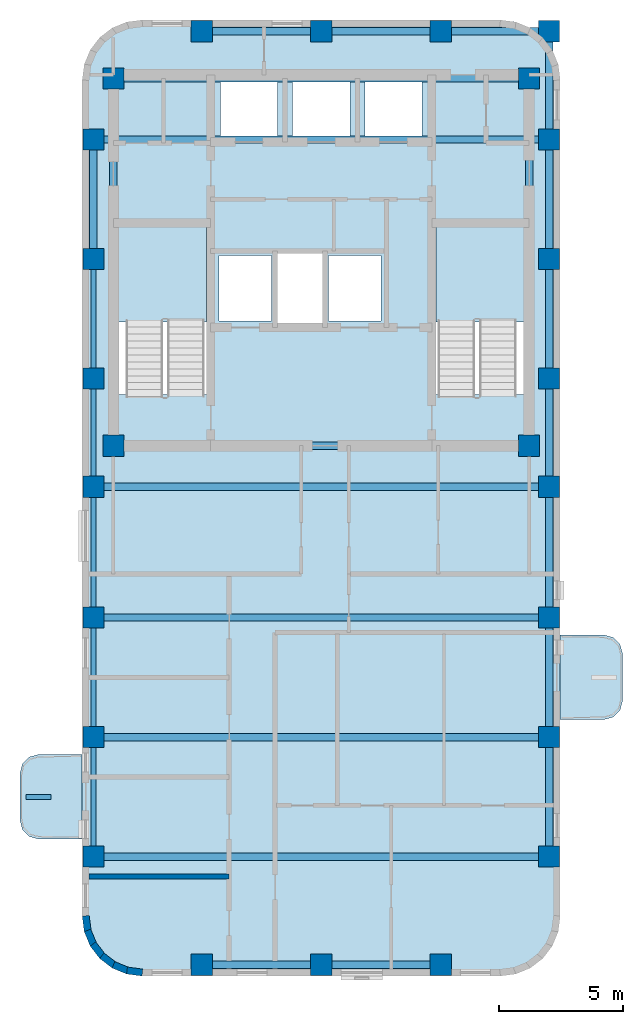
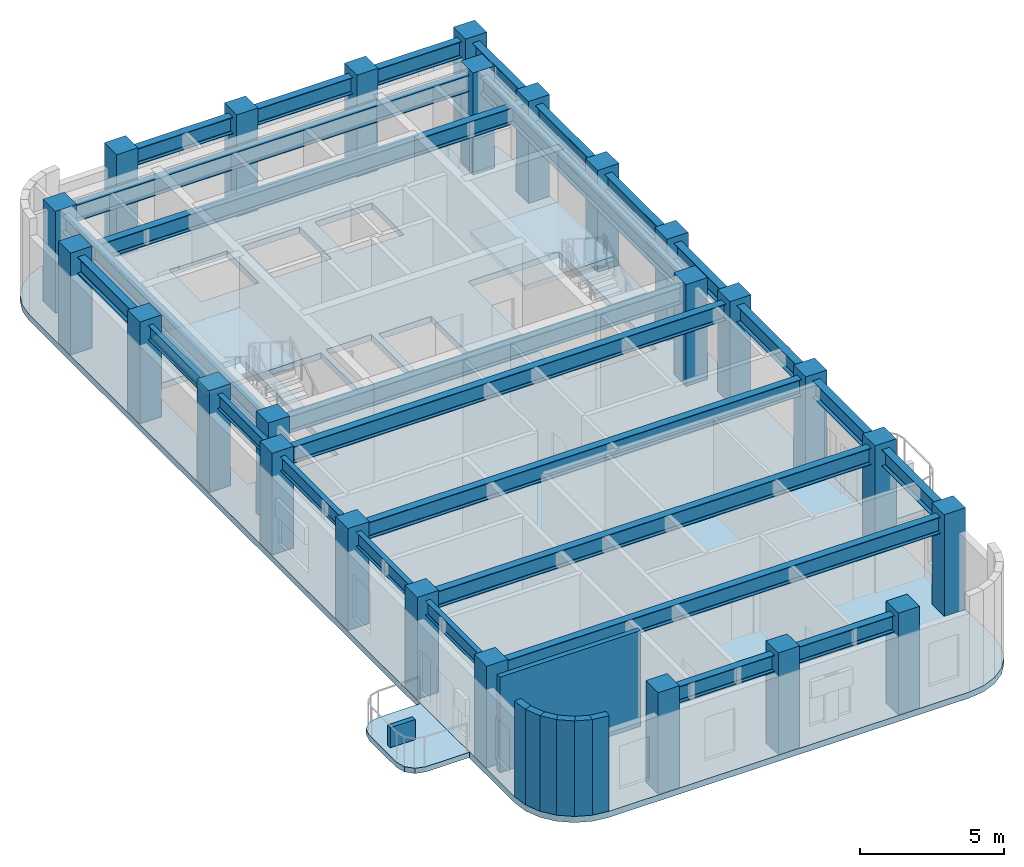
# One storey, part 1 of 6: 27 beams, 25 columns, 8 walls, 5 slabs, 2 elements without a shape of their own.
"""IFC4 building model written with IfcOpenShell, lengths in metres."""

from ifc_helpers import new_model, si_unit, direction, frame, frame_2d, origin, origin_2d, place, context, subcontext, project, spatial, polyline, rectangle, i_section, outline, extrude, material, layer, layer_set, material_profile, profile_set, type_object, element, aggregate, save


model = new_model("IFC4")

# Units and contexts
model_context = context("Model", 3, precision=1e-05, world=origin(), true_north=direction((0.0, 1.0)))
body_context = subcontext(model_context, "Body", "Model", "MODEL_VIEW")
ifc_project = project(units=[si_unit("LENGTHUNIT", "METRE"), si_unit("AREAUNIT", "SQUARE_METRE"), si_unit("VOLUMEUNIT", "CUBIC_METRE"), si_unit("PLANEANGLEUNIT", "RADIAN"), si_unit("MASSUNIT", "GRAM", prefix="KILO")], contexts=[model_context])

# Site, building, storey
site_placement = place(None, origin())
site = spatial("IfcSite", under=ifc_project, at=site_placement, CompositionType="ELEMENT")
building_placement = place(site_placement, origin())
building = spatial("IfcBuilding", under=site, at=building_placement, Name="Orvandelia Arch Residences", CompositionType="ELEMENT")
storey_placement = place(building_placement, frame((0.0, 0.0, 244.10009765625)))
storey = spatial("IfcBuildingStorey", under=building, at=storey_placement, Name="L64", CompositionType="ELEMENT", Elevation=244.10009765625)

# Columns
ifc_material_1 = material(Name="Concrete C60/75", Category="concrete")
ifc_material_profile_1 = material_profile(ifc_material_1, rectangle(XDim=0.85009765625, YDim=0.85009765625, at=origin_2d()), Name="Concrete C60/75", Category="concrete")
ifc_profile_set_1 = profile_set([ifc_material_profile_1], Name="Concrete C60/75")
column_type = type_object("IfcColumnType", Name="COL-TWR-850", PredefinedType="COLUMN", material=ifc_profile_set_1)
for number, where, z_axis, x_axis, name in (
    (1, (5.25, 14.39990234375, 0.0), (0.0, 0.0, 1.0), (1.0, 0.0, 0.0), "Structural Column L64-W-W-144"),
    (2, (5.25, 19.199951171875, 0.0), (0.0, 0.0, 1.0), (1.0, 0.0, 0.0), "Structural Column L64-W-W-192"),
    (3, (5.25, 24.0, 0.0), (0.0, 0.0, 1.0), (1.0, 0.0, 0.0), "Structural Column L64-W-W-240"),
    (4, (5.25, 29.25, 0.0), (0.0, 0.0, 1.0), (1.0, 0.0, 0.0), "Structural Column L64-W-W-292"),
    (5, (5.25, 33.60009765625, 0.0), (0.0, 0.0, 1.0), (1.0, 0.0, 0.0), "Structural Column L64-W-W-336"),
    (6, (5.25, 38.39990234375, 0.0), (0.0, 0.0, 1.0), (1.0, 0.0, 0.0), "Structural Column L64-W-W-384"),
    (7, (5.25, 43.199951171875, 0.0), (0.0, 0.0, 1.0), (1.0, 0.0, 0.0), "Structural Column L64-W-W-432"),
    (8, (6.050048828125, 30.89990234375, 0.0), (0.0, 0.0, 1.0), (1.0, 0.0, 0.0), "Structural Column L64-CR-SW"),
    (9, (6.050048828125, 45.64990234375, 0.0), (0.0, 0.0, 1.0), (1.0, 0.0, 0.0), "Structural Column L64-CR-NW"),
    (10, (9.60009765625, 10.050048828125, 0.0), (0.0, 0.0, 1.0), (1.0, 0.0, 0.0), "Structural Column L64-W-S-96"),
    (11, (9.60009765625, 47.550048828125, 0.0), (0.0, 0.0, 1.0), (1.0, 0.0, 0.0), "Structural Column L64-W-N-96"),
    (12, (14.39990234375, 10.050048828125, 0.0), (0.0, 0.0, 1.0), (1.0, 0.0, 0.0), "Structural Column L64-W-S-144"),
    (13, (14.39990234375, 47.550048828125, 0.0), (0.0, 0.0, 1.0), (1.0, 0.0, 0.0), "Structural Column L64-W-N-144"),
    (14, (19.199951171875, 10.050048828125, 0.0), (0.0, 0.0, 1.0), (1.0, 0.0, 0.0), "Structural Column L64-W-S-192"),
    (15, (19.199951171875, 47.550048828125, 0.0), (0.0, 0.0, 1.0), (1.0, 0.0, 0.0), "Structural Column L64-W-N-192"),
    (16, (22.75, 30.89990234375, 0.0), (0.0, 0.0, 1.0), (1.0, 0.0, 0.0), "Structural Column L64-CR-SE"),
    (17, (22.75, 45.64990234375, 0.0), (0.0, 0.0, 1.0), (1.0, 0.0, 0.0), "Structural Column L64-CR-NE"),
    (18, (23.550048828125, 14.39990234375, 0.0), (0.0, 0.0, 1.0), (1.0, 0.0, 0.0), "Structural Column L64-W-E-144"),
    (19, (23.550048828125, 19.199951171875, 0.0), (0.0, 0.0, 1.0), (1.0, 0.0, 0.0), "Structural Column L64-W-E-192"),
    (20, (23.550048828125, 24.0, 0.0), (0.0, 0.0, 1.0), (1.0, 0.0, 0.0), "Structural Column L64-W-E-240"),
    (21, (23.550048828125, 29.25, 0.0), (0.0, 0.0, 1.0), (1.0, 0.0, 0.0), "Structural Column L64-W-E-292"),
    (22, (23.550048828125, 33.60009765625, 0.0), (0.0, 0.0, 1.0), (1.0, 0.0, 0.0), "Structural Column L64-W-E-336"),
    (23, (23.550048828125, 38.39990234375, 0.0), (0.0, 0.0, 1.0), (1.0, 0.0, 0.0), "Structural Column L64-W-E-384"),
    (24, (23.550048828125, 43.199951171875, 0.0), (0.0, 0.0, 1.0), (1.0, 0.0, 0.0), "Structural Column L64-W-E-432"),
    (25, (23.550048828125, 47.550048828125, 0.0), (0.0, 0.0, 1.0), (1.0, 0.0, 0.0), "Structural Column L64-W-N-235"),
):
    element("IfcColumn", number, at=place(storey_placement, frame(where, z_axis=z_axis, x_axis=x_axis)), inside=storey, type_object=column_type, Name=name, PredefinedType="COLUMN", context=body_context, shape_type="SweptSolid", body=[
        extrude(rectangle(XDim=0.85009765625, YDim=0.85009765625, at=origin_2d()), origin(), (0.0, 0.0, 1.0), 4.2998046875),
    ])

# Beams
ifc_material_2 = material(Name="Structural Steel SM355 (355 MPa)", Category="steel")
ifc_material_profile_2 = material_profile(ifc_material_2, i_section(OverallWidth=0.300048828125, OverallDepth=0.699951171875, WebThickness=0.012939453125, FlangeThickness=0.02392578125, FilletRadius=0.02392578125, at=origin_2d()), Name="Structural Steel SM355 (355 MPa)", Category="steel")
ifc_profile_set_2 = profile_set([ifc_material_profile_2], Name="Structural Steel SM355 (355 MPa)")
beam_type_1 = type_object("IfcBeamType", Name="BM-GRD-H700", PredefinedType="BEAM", material=ifc_profile_set_2)
beam_1_placement = place(storey_placement, frame((5.25, 38.39990234375, 3.68994140625), z_axis=(0.0, 1.0, 0.0), x_axis=(-1.0, 0.0, 0.0)))
element("IfcBeam", 26, at=beam_1_placement, inside=storey, type_object=beam_type_1, Name="Structural Frame Beam L64-NS-006", PredefinedType="BEAM", context=body_context, shape_type="SweptSolid", body=[
    extrude(i_section(OverallWidth=0.300048828125, OverallDepth=0.699951171875, WebThickness=0.012939453125, FlangeThickness=0.02392578125, FilletRadius=0.02392578125, at=origin_2d()), origin(), (0.0, 0.0, 1.0), 4.800048828125),
])
for number, where, z_axis, x_axis, name in (
    (27, (6.050048828125, 30.89990234375, 3.68994140625), (0.0, 1.0, 0.0), (-1.0, 0.0, 0.0), "Structural Frame Beam L64-NS-007"),
    (28, (22.75, 30.89990234375, 3.68994140625), (0.0, 1.0, 0.0), (-1.0, 0.0, 0.0), "Structural Frame Beam L64-NS-008"),
):
    element("IfcBeam", number, at=place(storey_placement, frame(where, z_axis=z_axis, x_axis=x_axis)), inside=storey, type_object=beam_type_1, Name=name, PredefinedType="BEAM", context=body_context, shape_type="SweptSolid", body=[
        extrude(i_section(OverallWidth=0.300048828125, OverallDepth=0.699951171875, WebThickness=0.012939453125, FlangeThickness=0.02392578125, FilletRadius=0.02392578125, at=origin_2d()), origin(), (0.0, 0.0, 1.0), 14.75),
    ])
for number, where, z_axis, x_axis, name in (
    (29, (23.550048828125, 14.39990234375, 3.68994140625), (0.0, 1.0, 0.0), (-1.0, 0.0, 0.0), "Structural Frame Beam L64-NS-009"),
    (30, (23.550048828125, 19.199951171875, 3.68994140625), (0.0, 1.0, 0.0), (-1.0, 0.0, 0.0), "Structural Frame Beam L64-NS-010"),
):
    element("IfcBeam", number, at=place(storey_placement, frame(where, z_axis=z_axis, x_axis=x_axis)), inside=storey, type_object=beam_type_1, Name=name, PredefinedType="BEAM", context=body_context, shape_type="SweptSolid", body=[
        extrude(i_section(OverallWidth=0.300048828125, OverallDepth=0.699951171875, WebThickness=0.012939453125, FlangeThickness=0.02392578125, FilletRadius=0.02392578125, at=origin_2d()), origin(), (0.0, 0.0, 1.0), 4.800048828125),
    ])
beam_2_placement = place(storey_placement, frame((23.550048828125, 24.0, 3.68994140625), z_axis=(0.0, 1.0, 0.0), x_axis=(-1.0, 0.0, 0.0)))
element("IfcBeam", 31, at=beam_2_placement, inside=storey, type_object=beam_type_1, Name="Structural Frame Beam L64-NS-011", PredefinedType="BEAM", context=body_context, shape_type="SweptSolid", body=[
    extrude(i_section(OverallWidth=0.300048828125, OverallDepth=0.699951171875, WebThickness=0.012939453125, FlangeThickness=0.02392578125, FilletRadius=0.02392578125, at=origin_2d()), origin(), (0.0, 0.0, 1.0), 5.25),
])
beam_3_placement = place(storey_placement, frame((23.550048828125, 29.25, 3.68994140625), z_axis=(0.0, 1.0, 0.0), x_axis=(-1.0, 0.0, 0.0)))
element("IfcBeam", 32, at=beam_3_placement, inside=storey, type_object=beam_type_1, Name="Structural Frame Beam L64-NS-012", PredefinedType="BEAM", context=body_context, shape_type="SweptSolid", body=[
    extrude(i_section(OverallWidth=0.300048828125, OverallDepth=0.699951171875, WebThickness=0.012939453125, FlangeThickness=0.02392578125, FilletRadius=0.02392578125, at=origin_2d()), origin(), (0.0, 0.0, 1.0), 4.35009765625),
])
beam_4_placement = place(storey_placement, frame((23.550048828125, 33.60009765625, 3.68994140625), z_axis=(0.0, 1.0, 0.0), x_axis=(-1.0, 0.0, 0.0)))
element("IfcBeam", 33, at=beam_4_placement, inside=storey, type_object=beam_type_1, Name="Structural Frame Beam L64-NS-013", PredefinedType="BEAM", context=body_context, shape_type="SweptSolid", body=[
    extrude(i_section(OverallWidth=0.300048828125, OverallDepth=0.699951171875, WebThickness=0.012939453125, FlangeThickness=0.02392578125, FilletRadius=0.02392578125, at=origin_2d()), origin(), (0.0, 0.0, 1.0), 4.7998046875),
])
beam_5_placement = place(storey_placement, frame((23.550048828125, 38.39990234375, 3.68994140625), z_axis=(0.0, 1.0, 0.0), x_axis=(-1.0, 0.0, 0.0)))
element("IfcBeam", 34, at=beam_5_placement, inside=storey, type_object=beam_type_1, Name="Structural Frame Beam L64-NS-014", PredefinedType="BEAM", context=body_context, shape_type="SweptSolid", body=[
    extrude(i_section(OverallWidth=0.300048828125, OverallDepth=0.699951171875, WebThickness=0.012939453125, FlangeThickness=0.02392578125, FilletRadius=0.02392578125, at=origin_2d()), origin(), (0.0, 0.0, 1.0), 4.800048828125),
])
beam_6_placement = place(storey_placement, frame((23.550048828125, 43.199951171875, 3.68994140625), z_axis=(0.0, 1.0, 0.0), x_axis=(-1.0, 0.0, 0.0)))
element("IfcBeam", 35, at=beam_6_placement, inside=storey, type_object=beam_type_1, Name="Structural Frame Beam L64-NS-015", PredefinedType="BEAM", context=body_context, shape_type="SweptSolid", body=[
    extrude(i_section(OverallWidth=0.300048828125, OverallDepth=0.699951171875, WebThickness=0.012939453125, FlangeThickness=0.02392578125, FilletRadius=0.02392578125, at=origin_2d()), origin(), (0.0, 0.0, 1.0), 4.35009765625),
])
beam_7_placement = place(storey_placement, frame((9.60009765625, 10.050048828125, 3.68994140625), z_axis=(1.0, 0.0, 0.0), x_axis=(0.0, 1.0, 0.0)))
element("IfcBeam", 36, at=beam_7_placement, inside=storey, type_object=beam_type_1, Name="Structural Frame Girder L64-EW-016", PredefinedType="BEAM", context=body_context, shape_type="SweptSolid", body=[
    extrude(i_section(OverallWidth=0.300048828125, OverallDepth=0.699951171875, WebThickness=0.012939453125, FlangeThickness=0.02392578125, FilletRadius=0.02392578125, at=origin_2d()), origin(), (0.0, 0.0, 1.0), 4.7998046875),
])
beam_8_placement = place(storey_placement, frame((14.39990234375, 10.050048828125, 3.68994140625), z_axis=(1.0, 0.0, 0.0), x_axis=(0.0, 1.0, 0.0)))
element("IfcBeam", 37, at=beam_8_placement, inside=storey, type_object=beam_type_1, Name="Structural Frame Girder L64-EW-017", PredefinedType="BEAM", context=body_context, shape_type="SweptSolid", body=[
    extrude(i_section(OverallWidth=0.300048828125, OverallDepth=0.699951171875, WebThickness=0.012939453125, FlangeThickness=0.02392578125, FilletRadius=0.02392578125, at=origin_2d()), origin(), (0.0, 0.0, 1.0), 4.800048828125),
])
for number, where, z_axis, x_axis, name in (
    (38, (5.25, 14.39990234375, 3.68994140625), (1.0, 0.0, 0.0), (0.0, 1.0, 0.0), "Structural Frame Girder L64-EW-018"),
    (39, (5.25, 19.199951171875, 3.68994140625), (1.0, 0.0, 0.0), (0.0, 1.0, 0.0), "Structural Frame Girder L64-EW-019"),
    (40, (5.25, 24.0, 3.68994140625), (1.0, 0.0, 0.0), (0.0, 1.0, 0.0), "Structural Frame Girder L64-EW-020"),
    (41, (5.25, 29.25, 3.68994140625), (1.0, 0.0, 0.0), (0.0, 1.0, 0.0), "Structural Frame Girder L64-EW-021"),
):
    element("IfcBeam", number, at=place(storey_placement, frame(where, z_axis=z_axis, x_axis=x_axis)), inside=storey, type_object=beam_type_1, Name=name, PredefinedType="BEAM", context=body_context, shape_type="SweptSolid", body=[
        extrude(i_section(OverallWidth=0.300048828125, OverallDepth=0.699951171875, WebThickness=0.012939453125, FlangeThickness=0.02392578125, FilletRadius=0.02392578125, at=origin_2d()), origin(), (0.0, 0.0, 1.0), 18.300048828125),
    ])
beam_9_placement = place(storey_placement, frame((6.050048828125, 30.89990234375, 3.68994140625), z_axis=(1.0, 0.0, 0.0), x_axis=(0.0, 1.0, 0.0)))
element("IfcBeam", 42, at=beam_9_placement, inside=storey, type_object=beam_type_1, Name="Structural Frame Girder L64-EW-022", PredefinedType="BEAM", context=body_context, shape_type="SweptSolid", body=[
    extrude(i_section(OverallWidth=0.300048828125, OverallDepth=0.699951171875, WebThickness=0.012939453125, FlangeThickness=0.02392578125, FilletRadius=0.02392578125, at=origin_2d()), origin(), (0.0, 0.0, 1.0), 16.699951171875),
])
beam_10_placement = place(storey_placement, frame((5.25, 43.199951171875, 3.68994140625), z_axis=(1.0, 0.0, 0.0), x_axis=(0.0, 1.0, 0.0)))
element("IfcBeam", 43, at=beam_10_placement, inside=storey, type_object=beam_type_1, Name="Structural Frame Girder L64-EW-025", PredefinedType="BEAM", context=body_context, shape_type="SweptSolid", body=[
    extrude(i_section(OverallWidth=0.300048828125, OverallDepth=0.699951171875, WebThickness=0.012939453125, FlangeThickness=0.02392578125, FilletRadius=0.02392578125, at=origin_2d()), origin(), (0.0, 0.0, 1.0), 18.300048828125),
])
beam_11_placement = place(storey_placement, frame((6.050048828125, 45.64990234375, 3.68994140625), z_axis=(1.0, 0.0, 0.0), x_axis=(0.0, 1.0, 0.0)))
element("IfcBeam", 44, at=beam_11_placement, inside=storey, type_object=beam_type_1, Name="Structural Frame Girder L64-EW-026", PredefinedType="BEAM", context=body_context, shape_type="SweptSolid", body=[
    extrude(i_section(OverallWidth=0.300048828125, OverallDepth=0.699951171875, WebThickness=0.012939453125, FlangeThickness=0.02392578125, FilletRadius=0.02392578125, at=origin_2d()), origin(), (0.0, 0.0, 1.0), 16.699951171875),
])
beam_12_placement = place(storey_placement, frame((9.60009765625, 47.550048828125, 3.68994140625), z_axis=(1.0, 0.0, 0.0), x_axis=(0.0, 1.0, 0.0)))
element("IfcBeam", 45, at=beam_12_placement, inside=storey, type_object=beam_type_1, Name="Structural Frame Girder L64-EW-027", PredefinedType="BEAM", context=body_context, shape_type="SweptSolid", body=[
    extrude(i_section(OverallWidth=0.300048828125, OverallDepth=0.699951171875, WebThickness=0.012939453125, FlangeThickness=0.02392578125, FilletRadius=0.02392578125, at=origin_2d()), origin(), (0.0, 0.0, 1.0), 4.7998046875),
])
beam_13_placement = place(storey_placement, frame((14.39990234375, 47.550048828125, 3.68994140625), z_axis=(1.0, 0.0, 0.0), x_axis=(0.0, 1.0, 0.0)))
element("IfcBeam", 46, at=beam_13_placement, inside=storey, type_object=beam_type_1, Name="Structural Frame Girder L64-EW-028", PredefinedType="BEAM", context=body_context, shape_type="SweptSolid", body=[
    extrude(i_section(OverallWidth=0.300048828125, OverallDepth=0.699951171875, WebThickness=0.012939453125, FlangeThickness=0.02392578125, FilletRadius=0.02392578125, at=origin_2d()), origin(), (0.0, 0.0, 1.0), 4.800048828125),
])
beam_14_placement = place(storey_placement, frame((19.199951171875, 47.550048828125, 3.68994140625), z_axis=(1.0, 0.0, 0.0), x_axis=(0.0, 1.0, 0.0)))
element("IfcBeam", 47, at=beam_14_placement, inside=storey, type_object=beam_type_1, Name="Structural Frame Girder L64-EW-029", PredefinedType="BEAM", context=body_context, shape_type="SweptSolid", body=[
    extrude(i_section(OverallWidth=0.300048828125, OverallDepth=0.699951171875, WebThickness=0.012939453125, FlangeThickness=0.02392578125, FilletRadius=0.02392578125, at=origin_2d()), origin(), (0.0, 0.0, 1.0), 4.35009765625),
])
ifc_material_profile_3 = material_profile(ifc_material_2, i_section(OverallWidth=0.199951171875, OverallDepth=0.60009765625, WebThickness=0.010986328125, FlangeThickness=0.01708984375, FilletRadius=0.02197265625, at=origin_2d()), Name="Structural Steel SM355 (355 MPa)", Category="steel")
ifc_profile_set_3 = profile_set([ifc_material_profile_3], Name="Structural Steel SM355 (355 MPa)")
beam_type_2 = type_object("IfcBeamType", Name="BM-SPN-H600", PredefinedType="SPANDREL", material=ifc_profile_set_3)
for number, where, z_axis, x_axis, name in (
    (48, (5.25, 14.39990234375, 3.739990234375), (0.0, 1.0, 0.0), (-1.0, 0.0, 0.0), "Structural Frame Beam L64-NS-001"),
    (49, (5.25, 19.199951171875, 3.739990234375), (0.0, 1.0, 0.0), (-1.0, 0.0, 0.0), "Structural Frame Beam L64-NS-002"),
):
    element("IfcBeam", number, at=place(storey_placement, frame(where, z_axis=z_axis, x_axis=x_axis)), inside=storey, type_object=beam_type_2, Name=name, PredefinedType="SPANDREL", context=body_context, shape_type="SweptSolid", body=[
        extrude(i_section(OverallWidth=0.199951171875, OverallDepth=0.60009765625, WebThickness=0.010986328125, FlangeThickness=0.01708984375, FilletRadius=0.02197265625, at=origin_2d()), origin(), (0.0, 0.0, 1.0), 4.800048828125),
    ])
beam_15_placement = place(storey_placement, frame((5.25, 24.0, 3.739990234375), z_axis=(0.0, 1.0, 0.0), x_axis=(-1.0, 0.0, 0.0)))
element("IfcBeam", 50, at=beam_15_placement, inside=storey, type_object=beam_type_2, Name="Structural Frame Beam L64-NS-003", PredefinedType="SPANDREL", context=body_context, shape_type="SweptSolid", body=[
    extrude(i_section(OverallWidth=0.199951171875, OverallDepth=0.60009765625, WebThickness=0.010986328125, FlangeThickness=0.01708984375, FilletRadius=0.02197265625, at=origin_2d()), origin(), (0.0, 0.0, 1.0), 5.25),
])
beam_16_placement = place(storey_placement, frame((5.25, 29.25, 3.739990234375), z_axis=(0.0, 1.0, 0.0), x_axis=(-1.0, 0.0, 0.0)))
element("IfcBeam", 51, at=beam_16_placement, inside=storey, type_object=beam_type_2, Name="Structural Frame Beam L64-NS-004", PredefinedType="SPANDREL", context=body_context, shape_type="SweptSolid", body=[
    extrude(i_section(OverallWidth=0.199951171875, OverallDepth=0.60009765625, WebThickness=0.010986328125, FlangeThickness=0.01708984375, FilletRadius=0.02197265625, at=origin_2d()), origin(), (0.0, 0.0, 1.0), 4.35009765625),
])
beam_17_placement = place(storey_placement, frame((5.25, 33.60009765625, 3.739990234375), z_axis=(0.0, 1.0, 0.0), x_axis=(-1.0, 0.0, 0.0)))
element("IfcBeam", 52, at=beam_17_placement, inside=storey, type_object=beam_type_2, Name="Structural Frame Beam L64-NS-005", PredefinedType="SPANDREL", context=body_context, shape_type="SweptSolid", body=[
    extrude(i_section(OverallWidth=0.199951171875, OverallDepth=0.60009765625, WebThickness=0.010986328125, FlangeThickness=0.01708984375, FilletRadius=0.02197265625, at=origin_2d()), origin(), (0.0, 0.0, 1.0), 4.7998046875),
])

# Slabs
ifc_material_3 = material(Name="Precast concrete C40/50", Category="concrete")
ifc_layer_1 = layer(ifc_material_3, 0.219970703125, Name="Precast concrete C40/50", Category="concrete")
ifc_layer_set_1 = layer_set([ifc_layer_1], Name="Precast concrete C40/50")
slab_type_1 = type_object("IfcSlabType", Name="SLB-BAL-220", PredefinedType="USERDEFINED", material=ifc_layer_set_1)
slab_1_placement = place(storey_placement, frame((0.0, 0.0, -0.22021484375)))
element("IfcSlab", 53, at=slab_1_placement, inside=storey, type_object=slab_type_1, Name="Tree Balcony Cantilever Slab BAL-L64-W1", ObjectType="BALCONY", PredefinedType="USERDEFINED", context=body_context, shape_type="SweptSolid", body=[
    extrude(outline(polyline([(4.800048828125, 15.10009765625), (4.800048828125, 18.5), (3.050048828125, 18.5), (2.675048828125, 18.3994140625), (2.400390625, 18.125), (2.300048828125, 17.75), (2.300048828125, 15.85009765625), (2.400390625, 15.47509765625), (2.675048828125, 15.200439453125), (3.050048828125, 15.10009765625), (4.800048828125, 15.10009765625)])), origin(), (0.0, 0.0, 1.0), 0.22021484375),
])
slab_2_placement = place(storey_placement, frame((0.0, 0.0, -0.22021484375)))
element("IfcSlab", 54, at=slab_2_placement, inside=storey, type_object=slab_type_1, Name="Tree Balcony Cantilever Slab BAL-L64-W2", ObjectType="BALCONY", PredefinedType="USERDEFINED", context=body_context, shape_type="SweptSolid", body=[
    extrude(outline(polyline([(24.0, 23.300048828125), (24.0, 19.89990234375), (25.75, 19.89990234375), (26.125, 20.00048828125), (26.3994140625, 20.27490234375), (26.5, 20.64990234375), (26.5, 22.550048828125), (26.3994140625, 22.925048828125), (26.125, 23.199462890625), (25.75, 23.300048828125), (24.0, 23.300048828125)])), origin(), (0.0, 0.0, 1.0), 0.22021484375),
])

# Stair, slab
ifc_material_4 = material(Name="Concrete C40/50", Category="concrete")
stair_type = type_object("IfcStairType", Name="STAIR-RC-DOGLEG", PredefinedType="HALF_TURN_STAIR", material=ifc_material_4)
stair_1_placement = place(storey_placement, origin())
stair_1 = element("IfcStair", 55, at=stair_1_placement, inside=storey, type_object=stair_type, Name="L64 Protected Exit Stair ST-1", PredefinedType="HALF_TURN_STAIR")
ifc_layer_2 = layer(ifc_material_4, 0.219970703125, Name="Concrete C40/50", Category="concrete")
ifc_layer_set_2 = layer_set([ifc_layer_2], Name="Concrete C40/50")
slab_type_2 = type_object("IfcSlabType", Name="SLB-LANDING-220", PredefinedType="LANDING", material=ifc_layer_set_2)
slab_3_placement = place(storey_placement, frame((0.0, 0.0, 1.949951171875)))
slab_3 = element("IfcSlab", 56, at=slab_3_placement, type_object=slab_type_2, Name="ST-1 landing 1", PredefinedType="LANDING", context=body_context, shape_type="SweptSolid", body=[
    extrude(outline(polyline([(9.800048828125, 35.8701171875), (9.800048828125, 39.68994140625), (6.260009765625, 39.68994140625), (6.260009765625, 35.8701171875), (9.800048828125, 35.8701171875)])), origin(), (0.0, 0.0, 1.0), 0.199951171875),
])
aggregate(stair_1, [slab_3])

stair_2_placement = place(storey_placement, origin())
stair_2 = element("IfcStair", 57, at=stair_2_placement, inside=storey, type_object=stair_type, Name="L64 Protected Exit Stair ST-2", PredefinedType="HALF_TURN_STAIR")
slab_4_placement = place(storey_placement, frame((0.0, 0.0, 1.949951171875)))
slab_4 = element("IfcSlab", 58, at=slab_4_placement, type_object=slab_type_2, Name="ST-2 landing 1", PredefinedType="LANDING", context=body_context, shape_type="SweptSolid", body=[
    extrude(outline(polyline([(22.5400390625, 35.8701171875), (22.5400390625, 39.68994140625), (19.0, 39.68994140625), (19.0, 35.8701171875), (22.5400390625, 35.8701171875)])), origin(), (0.0, 0.0, 1.0), 0.199951171875),
])
aggregate(stair_2, [slab_4])

# Slab
ifc_layer_3 = layer(ifc_material_4, 0.260009765625, Name="Concrete C40/50", Category="concrete")
ifc_layer_set_3 = layer_set([ifc_layer_3], Name="Concrete C40/50")
slab_type_3 = type_object("IfcSlabType", Name="SLB-TWR-260", PredefinedType="FLOOR", material=ifc_layer_set_3)
slab_5_placement = place(storey_placement, frame((0.0, 0.0, -0.260009765625)))
element("IfcSlab", 59, at=slab_5_placement, inside=storey, type_object=slab_type_3, Name="Structural Floor Slab L64-1", PredefinedType="FLOOR", context=body_context, shape_type="SweptSolid", body=[
    extrude(outline(polyline([(4.800048828125, 12.0), (4.8818359375, 11.37890625), (5.12158203125, 10.800048828125), (5.5029296875, 10.302978515625), (6.0, 9.92138671875), (6.578857421875, 9.681884765625), (7.199951171875, 9.60009765625), (21.60009765625, 9.60009765625), (22.22119140625, 9.681884765625), (22.800048828125, 9.92138671875), (23.297119140625, 10.302978515625), (23.678466796875, 10.800048828125), (23.918212890625, 11.37890625), (24.0, 12.0), (24.0, 45.60009765625), (23.918212890625, 46.22119140625), (23.678466796875, 46.800048828125), (23.297119140625, 47.297119140625), (22.800048828125, 47.678466796875), (22.22119140625, 47.918212890625), (21.60009765625, 48.0), (7.199951171875, 48.0), (6.578857421875, 47.918212890625), (6.0, 47.678466796875), (5.5029296875, 47.297119140625), (5.12158203125, 46.800048828125), (4.8818359375, 46.22119140625), (4.800048828125, 45.60009765625), (4.800048828125, 12.0)]), holes=[polyline([(6.219970703125, 32.949951171875), (9.840087890625, 32.949951171875), (9.840087890625, 39.72998046875), (6.219970703125, 39.72998046875), (6.219970703125, 32.949951171875)]), polyline([(18.9599609375, 32.949951171875), (22.580078125, 32.949951171875), (22.580078125, 39.72998046875), (18.9599609375, 39.72998046875), (18.9599609375, 32.949951171875)]), polyline([(12.639892578125, 35.81005859375), (14.4599609375, 35.81005859375), (14.4599609375, 38.639892578125), (12.639892578125, 38.639892578125), (12.639892578125, 35.81005859375)]), polyline([(10.300048828125, 35.89990234375), (12.39990234375, 35.89990234375), (12.39990234375, 38.550048828125), (10.300048828125, 38.550048828125), (10.300048828125, 35.89990234375)]), polyline([(14.699951171875, 35.89990234375), (16.800048828125, 35.89990234375), (16.800048828125, 38.550048828125), (14.699951171875, 38.550048828125), (14.699951171875, 35.89990234375)]), polyline([(10.35009765625, 43.300048828125), (12.64990234375, 43.300048828125), (12.64990234375, 45.5), (10.35009765625, 45.5), (10.35009765625, 43.300048828125)]), polyline([(13.25, 43.300048828125), (15.550048828125, 43.300048828125), (15.550048828125, 45.5), (13.25, 45.5), (13.25, 43.300048828125)]), polyline([(16.14990234375, 43.300048828125), (18.449951171875, 43.300048828125), (18.449951171875, 45.5), (16.14990234375, 45.5), (16.14990234375, 43.300048828125)])]), origin(), (0.0, 0.0, 1.0), 0.260009765625),
])

# Walls
ifc_layer_4 = layer(ifc_material_4, 0.199951171875, Name="Concrete C40/50", Category="concrete")
ifc_layer_set_4 = layer_set([ifc_layer_4], Name="Concrete C40/50")
wall_type_1 = type_object("IfcWallType", Name="WL-DEM-200", PredefinedType="SOLIDWALL", material=ifc_layer_set_4)
wall_1_placement = place(storey_placement, frame((5.080078125, 13.60009765625, 0.0), z_axis=(0.0, 0.0, 1.0), x_axis=(1.0, 0.0, 0.0)))
element("IfcWall", 60, at=wall_1_placement, inside=storey, type_object=wall_type_1, Name="Interior Partition Wall WL-L64-DEM-WL-136", PredefinedType="SOLIDWALL", context=body_context, shape_type="SweptSolid", body=[
    extrude(rectangle(XDim=5.619873046875, YDim=0.199951171875, at=frame_2d((2.81005859375, 0.0))), origin(), (0.0, 0.0, 1.0), 4.039794921875),
])
ifc_layer_5 = layer(ifc_material_3, 0.280029296875, Name="Precast concrete C40/50", Category="concrete")
ifc_layer_set_5 = layer_set([ifc_layer_5], Name="Precast concrete C40/50")
wall_type_2 = type_object("IfcWallType", Name="WL-EXT-STONE-280", PredefinedType="STANDARD", material=ifc_layer_set_5)
wall_2_placement = place(storey_placement, frame((7.21826171875, 9.73876953125, 0.0), z_axis=(0.0, 0.0, 1.0), x_axis=(-0.9914410257, 0.130555323746, 0.0)))
element("IfcWall", 61, at=wall_2_placement, inside=storey, type_object=wall_type_2, Name="Coral-Limestone Precast Facade Wall L64-022", PredefinedType="STANDARD", context=body_context, shape_type="SweptSolid", body=[
    extrude(rectangle(XDim=0.62646484375, YDim=0.280029296875, at=frame_2d((0.313232421875, 0.0))), origin(), (0.0, 0.0, 1.0), 4.039794921875),
])
wall_3_placement = place(storey_placement, frame((6.63232421875, 9.81103515625, 0.0), z_axis=(0.0, 0.0, 1.0), x_axis=(-0.923836271867, 0.382787856107, 0.0)))
element("IfcWall", 62, at=wall_3_placement, inside=storey, type_object=wall_type_2, Name="Coral-Limestone Precast Facade Wall L64-023", PredefinedType="STANDARD", context=body_context, shape_type="SweptSolid", body=[
    extrude(rectangle(XDim=0.626220703125, YDim=0.280029296875, at=frame_2d((0.31298828125, 0.0))), origin(), (0.0, 0.0, 1.0), 4.039794921875),
])
for number, where, z_axis, x_axis, name in (
    (63, (6.085205078125, 10.03271484375, 0.0), (0.0, 0.0, 1.0), (-0.793405610854, 0.608693302629, 0.0), "Coral-Limestone Precast Facade Wall L64-024"),
    (64, (5.614013671875, 10.38818359375, 0.0), (0.0, 0.0, 1.0), (-0.608693302629, 0.793405610854, 0.0), "Coral-Limestone Precast Facade Wall L64-025"),
    (65, (5.250732421875, 10.853515625, 0.0), (0.0, 0.0, 1.0), (-0.382650053678, 0.92389335771, 0.0), "Coral-Limestone Precast Facade Wall L64-026"),
    (66, (5.0205078125, 11.397216796875, 0.0), (0.0, 0.0, 1.0), (-0.130555323746, 0.9914410257, 0.0), "Coral-Limestone Precast Facade Wall L64-027"),
):
    element("IfcWall", number, at=place(storey_placement, frame(where, z_axis=z_axis, x_axis=x_axis)), inside=storey, type_object=wall_type_2, Name=name, PredefinedType="STANDARD", context=body_context, shape_type="SweptSolid", body=[
        extrude(rectangle(XDim=0.62646484375, YDim=0.280029296875, at=frame_2d((0.313232421875, 0.0))), origin(), (0.0, 0.0, 1.0), 4.039794921875),
    ])
ifc_layer_6 = layer(ifc_material_3, 0.199951171875, Name="Precast concrete C40/50", Category="concrete")
ifc_layer_set_6 = layer_set([ifc_layer_6], Name="Precast concrete C40/50")
wall_type_3 = type_object("IfcWallType", Name="WL-PLANTER-200", PredefinedType="MOVABLE", material=ifc_layer_set_6)
wall_4_placement = place(storey_placement, frame((2.550048828125, 16.800048828125, 0.0), z_axis=(0.0, 0.0, 1.0), x_axis=(1.0, 0.0, 0.0)))
element("IfcWall", 67, at=wall_4_placement, inside=storey, type_object=wall_type_3, Name="Balcony Precast Tree Planter BAL-L64-W1", PredefinedType="MOVABLE", context=body_context, shape_type="SweptSolid", body=[
    extrude(rectangle(XDim=1.0, YDim=0.199951171875, at=frame_2d((0.5, 0.0))), origin(), (0.0, 0.0, 1.0), 0.849853515625),
])

save(model, "model.ifc")
